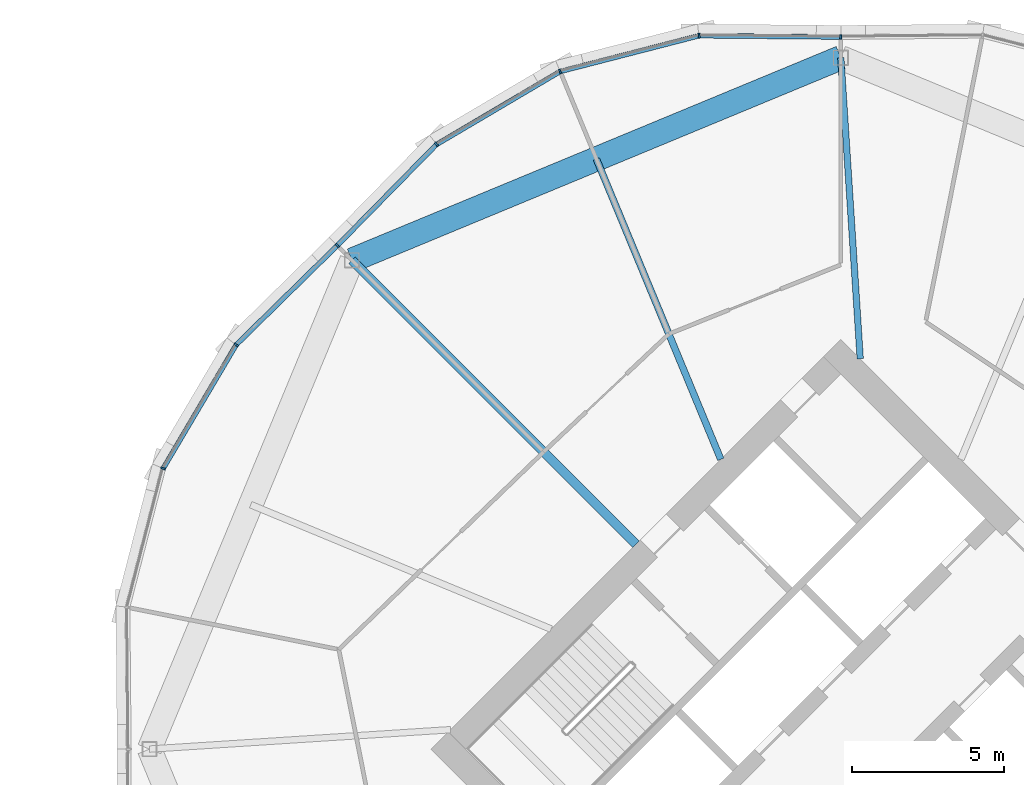
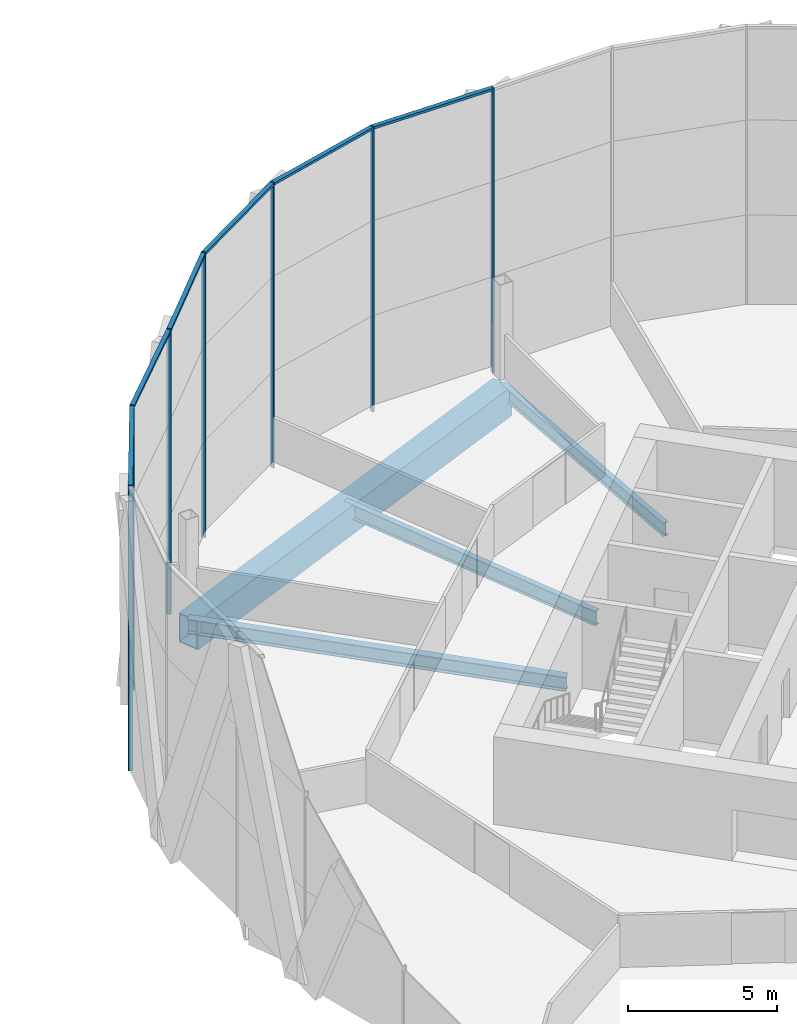
# One storey, part 14 of 26: 13 members, 4 beams, 3 elements without a shape of their own.
"""IFC4 building model written with IfcOpenShell, lengths in metres."""

from ifc_helpers import new_model, si_unit, direction, frame, origin, origin_2d, place, context, subcontext, project, spatial, rectangle, hollow_rectangle, i_section, extrude, material, material_profile, profile_set, type_object, element, aggregate, save


model = new_model("IFC4")

# Units and contexts
model_context = context("Model", 3, precision=1e-05, world=origin(), true_north=direction((0.0, 1.0)))
body_context = subcontext(model_context, "Body", "Model", "MODEL_VIEW")
ifc_project = project(units=[si_unit("LENGTHUNIT", "METRE"), si_unit("AREAUNIT", "SQUARE_METRE"), si_unit("VOLUMEUNIT", "CUBIC_METRE"), si_unit("PLANEANGLEUNIT", "RADIAN"), si_unit("MASSUNIT", "GRAM", prefix="KILO")], contexts=[model_context])

# Site, building, storey
site_placement = place(None, origin())
site = spatial("IfcSite", under=ifc_project, at=site_placement, CompositionType="ELEMENT")
building_placement = place(site_placement, origin())
building = spatial("IfcBuilding", under=site, at=building_placement, Name="Ogive Gate Towers", CompositionType="ELEMENT")
storey_placement = place(building_placement, frame((0.0, 0.0, 87.89990234375)))
storey = spatial("IfcBuildingStorey", under=building, at=storey_placement, Name="L20", CompositionType="ELEMENT", Elevation=87.89990234375)

# Beams
ifc_material_1 = material(Name="Steel SM460", Category="steel")
ifc_material_profile_1 = material_profile(ifc_material_1, hollow_rectangle(XDim=0.800048828125, YDim=1.199951171875, WallThickness=0.050048828125, at=origin_2d()), Name="BX 1200x800x50")
ifc_profile_set_1 = profile_set([ifc_material_profile_1], Name="Steel SM460")
beam_type_1 = type_object("IfcBeamType", Name="Edge girder BX 1200x800x50", PredefinedType="BEAM", material=ifc_profile_set_1)
beam_1_placement = place(storey_placement, frame((36.0, 22.669921875, -0.89990234375), z_axis=(-0.923878777792, -0.382685254414, 0.0), x_axis=(0.382685254414, -0.923878777792, 0.0)))
element("IfcBeam", 1, at=beam_1_placement, inside=storey, type_object=beam_type_1, Name="T2/L20/SBM022", PredefinedType="BEAM", context=body_context, shape_type="SweptSolid", body=[
    extrude(hollow_rectangle(XDim=0.800048828125, YDim=1.199951171875, WallThickness=0.050048828125, at=origin_2d()), origin(), (0.0, 0.0, 1.0), 17.350830078125),
])
ifc_material_2 = material(Name="Steel SM355", Category="steel")
ifc_material_profile_2 = material_profile(ifc_material_2, i_section(OverallWidth=0.300048828125, OverallDepth=0.590087890625, WebThickness=0.012939453125, FlangeThickness=0.02490234375, FilletRadius=0.027099609375, at=origin_2d()), Name="HE 600 A")
ifc_profile_set_2 = profile_set([ifc_material_profile_2], Name="Steel SM355")
beam_type_2 = type_object("IfcBeamType", Name="Radial floor beam HE 600 A", PredefinedType="BEAM", material=ifc_profile_set_2)
beam_2_placement = place(storey_placement, frame((29.282470703125, 6.717529296875, -0.594970703125), z_axis=(-0.707106781187, 0.707106781187, 0.0), x_axis=(-0.707106781187, -0.707106781187, 0.0)))
element("IfcBeam", 2, at=beam_2_placement, inside=storey, type_object=beam_type_2, Name="T2/L20/SBM013", PredefinedType="BEAM", context=body_context, shape_type="SweptSolid", body=[
    extrude(i_section(OverallWidth=0.300048828125, OverallDepth=0.590087890625, WebThickness=0.012939453125, FlangeThickness=0.02490234375, FilletRadius=0.027099609375, at=origin_2d()), origin(), (0.0, 0.0, 1.0), 13.169921875),
])
ifc_material_profile_3 = material_profile(ifc_material_2, i_section(OverallWidth=0.2099609375, OverallDepth=0.550048828125, WebThickness=0.010986328125, FlangeThickness=0.01708984375, FilletRadius=0.02392578125, at=origin_2d()), Name="IPE 550")
ifc_profile_set_3 = profile_set([ifc_material_profile_3], Name="Steel SM355")
beam_type_3 = type_object("IfcBeamType", Name="Radial floor beam IPE 550", PredefinedType="BEAM", material=ifc_profile_set_3)
beam_3_placement = place(storey_placement, frame((36.636474609375, 12.798583984375, -0.574951171875), z_axis=(-0.064343427717, 0.997927814679, 0.0), x_axis=(-0.997927814679, -0.064343427717, 0.0)))
element("IfcBeam", 3, at=beam_3_placement, inside=storey, type_object=beam_type_3, Name="T2/L20/SBM011", PredefinedType="BEAM", context=body_context, shape_type="SweptSolid", body=[
    extrude(i_section(OverallWidth=0.2099609375, OverallDepth=0.550048828125, WebThickness=0.010986328125, FlangeThickness=0.01708984375, FilletRadius=0.02392578125, at=origin_2d()), origin(), (0.0, 0.0, 1.0), 9.891845703125),
])
ifc_material_profile_4 = material_profile(ifc_material_2, i_section(OverallWidth=0.219970703125, OverallDepth=0.60009765625, WebThickness=0.011962890625, FlangeThickness=0.01904296875, FilletRadius=0.02392578125, at=origin_2d()), Name="IPE 600")
ifc_profile_set_4 = profile_set([ifc_material_profile_4], Name="Steel SM355")
beam_type_4 = type_object("IfcBeamType", Name="Radial floor beam IPE 600", PredefinedType="BEAM", material=ifc_profile_set_4)
beam_4_placement = place(storey_placement, frame((32.06494140625, 9.5, -0.599853515625), z_axis=(-0.382686161148, 0.923878402208, 0.0), x_axis=(-0.923878402208, -0.382686161148, 0.0)))
element("IfcBeam", 4, at=beam_4_placement, inside=storey, type_object=beam_type_4, Name="T2/L20/SBM012", PredefinedType="BEAM", context=body_context, shape_type="SweptSolid", body=[
    extrude(i_section(OverallWidth=0.219970703125, OverallDepth=0.60009765625, WebThickness=0.011962890625, FlangeThickness=0.01904296875, FilletRadius=0.02392578125, at=origin_2d()), origin(), (0.0, 0.0, 1.0), 10.66162109375),
])

# Curtain wall, member
ifc_material_3 = material(Name="Pale metal aluminium", Category="aluminium")
curtain_wall_type = type_object("IfcCurtainWallType", Name="Tower unitised wall, low zone", PredefinedType="NOTDEFINED", material=ifc_material_3)
curtain_wall_1_placement = place(storey_placement, origin())
curtain_wall_1 = element("IfcCurtainWall", 5, at=curtain_wall_1_placement, inside=storey, type_object=curtain_wall_type, Name="CW1 T2 ECW02", PredefinedType="NOTDEFINED")
ifc_material_profile_5 = material_profile(ifc_material_3, rectangle(XDim=0.159912109375, YDim=0.06005859375, at=origin_2d()), Name="60 x 160 aluminium box")
ifc_profile_set_5 = profile_set([ifc_material_profile_5], Name="Pale metal aluminium")
member_type_1 = type_object("IfcMemberType", Name="Tower unitised wall, low zone mullion 60 x 160", PredefinedType="MULLION", material=ifc_profile_set_5)
member_1_placement = place(storey_placement, frame((36.000244140625, 23.35009765625, -0.2998046875), z_axis=(0.0, 0.0, 1.0), x_axis=(-0.009337375811, 0.999956405756, 0.0)))
member_1 = element("IfcMember", 6, at=member_1_placement, type_object=member_type_1, Name="CW1 mullion", PredefinedType="MULLION", context=body_context, shape_type="SweptSolid", body=[
    extrude(rectangle(XDim=0.159912109375, YDim=0.06005859375, at=origin_2d()), origin(), (0.0, 0.0, 1.0), 11.699951171875),
])
aggregate(curtain_wall_1, [member_1])

# Curtain wall, members
curtain_wall_2_placement = place(storey_placement, origin())
curtain_wall_2 = element("IfcCurtainWall", 7, at=curtain_wall_2_placement, inside=storey, type_object=curtain_wall_type, Name="CW1 T2 ECW03", PredefinedType="NOTDEFINED")
member_2_placement = place(storey_placement, frame((31.352783203125, 23.3935546875, -0.2998046875), z_axis=(0.0, 0.0, 1.0), x_axis=(-0.121037787217, 0.992647900348, 0.0)))
member_2 = element("IfcMember", 8, at=member_2_placement, type_object=member_type_1, Name="CW1 mullion", PredefinedType="MULLION", context=body_context, shape_type="SweptSolid", body=[
    extrude(rectangle(XDim=0.159912109375, YDim=0.06005859375, at=origin_2d()), origin(), (0.0, 0.0, 1.0), 11.699951171875),
])
member_3_placement = place(storey_placement, frame((26.796142578125, 22.22021484375, -0.2998046875), z_axis=(0.0, 0.0, 1.0), x_axis=(-0.382683432365, 0.923879532511, 0.0)))
member_3 = element("IfcMember", 9, at=member_3_placement, type_object=member_type_1, Name="CW1 mullion", PredefinedType="MULLION", context=body_context, shape_type="SweptSolid", body=[
    extrude(rectangle(XDim=0.159912109375, YDim=0.06005859375, at=origin_2d()), origin(), (0.0, 0.0, 1.0), 11.699951171875),
])
member_4_placement = place(storey_placement, frame((22.744140625, 19.827880859375, -0.2998046875), z_axis=(0.0, 0.0, 1.0), x_axis=(-0.616321421546, 0.787494701787, 0.0)))
member_4 = element("IfcMember", 10, at=member_4_placement, type_object=member_type_1, Name="CW1 mullion", PredefinedType="MULLION", context=body_context, shape_type="SweptSolid", body=[
    extrude(rectangle(XDim=0.159912109375, YDim=0.06005859375, at=origin_2d()), origin(), (0.0, 0.0, 1.0), 11.699951171875),
])
member_5_placement = place(storey_placement, frame((19.4892578125, 16.510986328125, -0.2998046875), z_axis=(0.0, 0.0, 1.0), x_axis=(-0.713678477155, 0.700473433647, 0.0)))
member_5 = element("IfcMember", 11, at=member_5_placement, type_object=member_type_1, Name="CW1 mullion", PredefinedType="MULLION", context=body_context, shape_type="SweptSolid", body=[
    extrude(rectangle(XDim=0.159912109375, YDim=0.06005859375, at=origin_2d()), origin(), (0.0, 0.0, 1.0), 11.699951171875),
])

curtain_wall_3_placement = place(storey_placement, origin())
curtain_wall_3 = element("IfcCurtainWall", 12, at=curtain_wall_3_placement, inside=storey, type_object=curtain_wall_type, Name="CW1 T2 ECW04", PredefinedType="NOTDEFINED")
member_6_placement = place(storey_placement, frame((16.172119140625, 13.255859375, -0.2998046875), z_axis=(0.0, 0.0, 1.0), x_axis=(-0.787494701787, 0.616321421546, 0.0)))
member_6 = element("IfcMember", 13, at=member_6_placement, type_object=member_type_1, Name="CW1 mullion", PredefinedType="MULLION", context=body_context, shape_type="SweptSolid", body=[
    extrude(rectangle(XDim=0.159912109375, YDim=0.06005859375, at=origin_2d()), origin(), (0.0, 0.0, 1.0), 11.699951171875),
])
member_7_placement = place(storey_placement, frame((13.77978515625, 9.203857421875, -0.2998046875), z_axis=(0.0, 0.0, 1.0), x_axis=(-0.923879532511, 0.382683432365, 0.0)))
member_7 = element("IfcMember", 14, at=member_7_placement, type_object=member_type_1, Name="CW1 mullion", PredefinedType="MULLION", context=body_context, shape_type="SweptSolid", body=[
    extrude(rectangle(XDim=0.159912109375, YDim=0.06005859375, at=origin_2d()), origin(), (0.0, 0.0, 1.0), 11.699951171875),
])

# Member
ifc_material_profile_6 = material_profile(ifc_material_3, rectangle(XDim=0.159912109375, YDim=0.10009765625, at=origin_2d()), Name="100 x 160 aluminium box")
ifc_profile_set_6 = profile_set([ifc_material_profile_6], Name="Pale metal aluminium")
member_type_2 = type_object("IfcMemberType", Name="Tower unitised wall, low zone transom 100 x 160", PredefinedType="USERDEFINED", material=ifc_profile_set_6)
member_8_placement = place(storey_placement, frame((35.9697265625, 23.350341796875, 11.35009765625), z_axis=(-0.999956669412, 0.009309097625, 0.0), x_axis=(-0.009309097625, -0.999956669412, 0.0)))
member_8 = element("IfcMember", 15, at=member_8_placement, type_object=member_type_2, Name="CW1 transom", ObjectType="TRANSOM", PredefinedType="USERDEFINED", context=body_context, shape_type="SweptSolid", body=[
    extrude(rectangle(XDim=0.159912109375, YDim=0.10009765625, at=origin_2d()), origin(), (0.0, 0.0, 1.0), 4.589599609375),
])

member_9_placement = place(storey_placement, frame((31.326416015625, 23.38671875, 11.35009765625), z_axis=(-0.968401345103, -0.249396942248, 0.0), x_axis=(0.249396942248, -0.968401345103, 0.0)))
member_9 = element("IfcMember", 16, at=member_9_placement, type_object=member_type_2, Name="CW1 transom", ObjectType="TRANSOM", PredefinedType="USERDEFINED", context=body_context, shape_type="SweptSolid", body=[
    extrude(rectangle(XDim=0.159912109375, YDim=0.10009765625, at=origin_2d()), origin(), (0.0, 0.0, 1.0), 4.65087890625),
])

member_10_placement = place(storey_placement, frame((26.772705078125, 22.206298828125, 11.35009765625), z_axis=(-0.861093687305, -0.508446321339, 0.0), x_axis=(0.508446321339, -0.861093687305, 0.0)))
member_10 = element("IfcMember", 17, at=member_10_placement, type_object=member_type_2, Name="CW1 transom", ObjectType="TRANSOM", PredefinedType="USERDEFINED", context=body_context, shape_type="SweptSolid", body=[
    extrude(rectangle(XDim=0.159912109375, YDim=0.10009765625, at=origin_2d()), origin(), (0.0, 0.0, 1.0), 4.65087890625),
])

member_11_placement = place(storey_placement, frame((22.72509765625, 19.80810546875, 11.35009765625), z_axis=(-0.700453165916, -0.713698369312, 0.0), x_axis=(0.713698369312, -0.700453165916, 0.0)))
member_11 = element("IfcMember", 18, at=member_11_placement, type_object=member_type_2, Name="CW1 transom", ObjectType="TRANSOM", PredefinedType="USERDEFINED", context=body_context, shape_type="SweptSolid", body=[
    extrude(rectangle(XDim=0.159912109375, YDim=0.10009765625, at=origin_2d()), origin(), (0.0, 0.0, 1.0), 4.589599609375),
])

aggregate(curtain_wall_2, [member_2, member_8, member_3, member_9, member_4, member_10, member_5, member_11])

member_12_placement = place(storey_placement, frame((19.467529296875, 16.48974609375, 11.35009765625), z_axis=(-0.713698369312, -0.700453165916, 0.0), x_axis=(0.700453165916, -0.713698369312, 0.0)))
member_12 = element("IfcMember", 19, at=member_12_placement, type_object=member_type_2, Name="CW1 transom", ObjectType="TRANSOM", PredefinedType="USERDEFINED", context=body_context, shape_type="SweptSolid", body=[
    extrude(rectangle(XDim=0.159912109375, YDim=0.10009765625, at=origin_2d()), origin(), (0.0, 0.0, 1.0), 4.589599609375),
])

member_13_placement = place(storey_placement, frame((16.158447265625, 13.232177734375, 11.35009765625), z_axis=(-0.508446321339, -0.861093687305, 0.0), x_axis=(0.861093687305, -0.508446321339, 0.0)))
member_13 = element("IfcMember", 20, at=member_13_placement, type_object=member_type_2, Name="CW1 transom", ObjectType="TRANSOM", PredefinedType="USERDEFINED", context=body_context, shape_type="SweptSolid", body=[
    extrude(rectangle(XDim=0.159912109375, YDim=0.10009765625, at=origin_2d()), origin(), (0.0, 0.0, 1.0), 4.65087890625),
])

aggregate(curtain_wall_3, [member_6, member_12, member_7, member_13])

save(model, "model.ifc")
